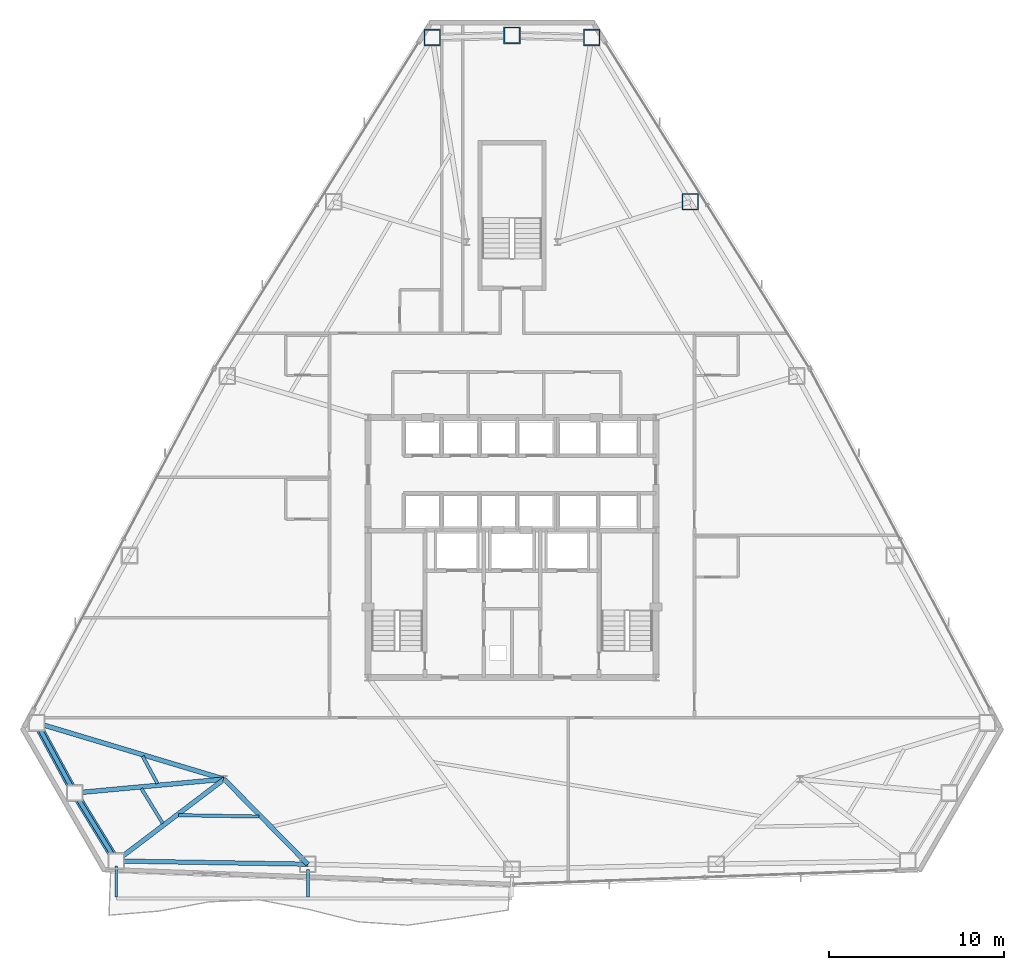
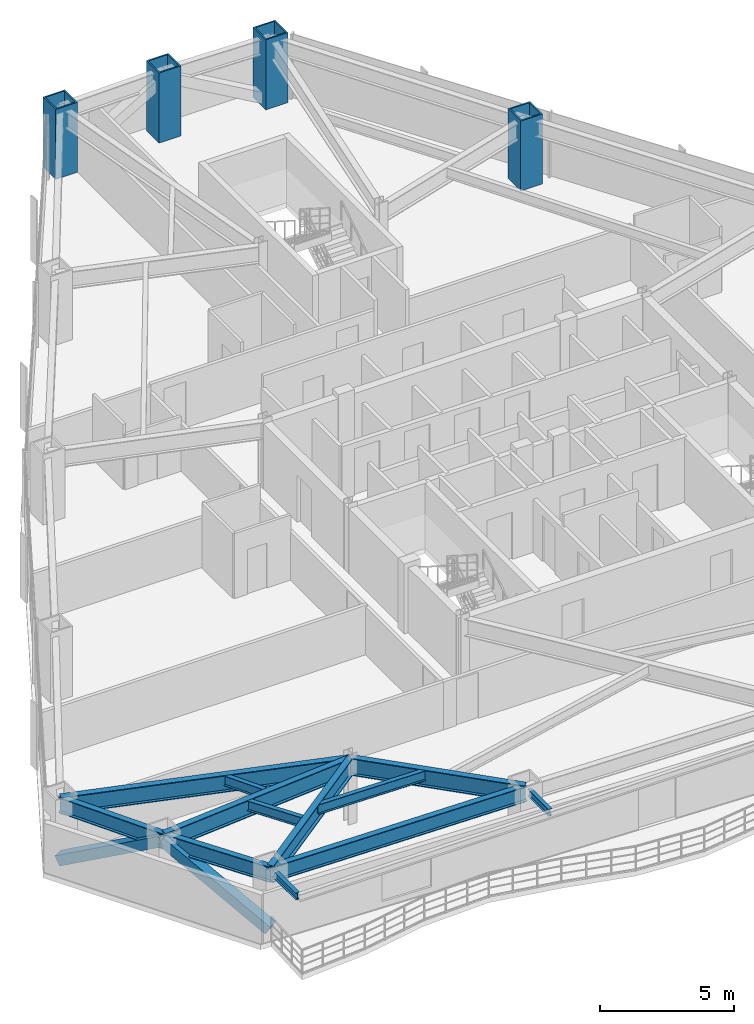
# One storey, part 3 of 13: 12 beams, 4 columns, 2 members.
"""IFC4 building model written with IfcOpenShell, lengths in metres."""

from ifc_helpers import new_model, si_unit, direction, frame, origin, origin_2d, place, context, subcontext, project, spatial, hollow_rectangle, i_section, extrude, source, transform, mapped, material, material_profile, profile_set, type_object, type_shapes, element, save


model = new_model("IFC4")

# Units and contexts
model_context = context("Model", 3, precision=1e-05, world=origin(), true_north=direction((0.0, 1.0)))
body_context = subcontext(model_context, "Body", "Model", "MODEL_VIEW")
ifc_project = project(units=[si_unit("LENGTHUNIT", "METRE"), si_unit("AREAUNIT", "SQUARE_METRE"), si_unit("VOLUMEUNIT", "CUBIC_METRE"), si_unit("PLANEANGLEUNIT", "RADIAN"), si_unit("MASSUNIT", "GRAM", prefix="KILO")], contexts=[model_context])

# Site, building, storey
site_placement = place(None, origin())
site = spatial("IfcSite", under=ifc_project, at=site_placement, CompositionType="ELEMENT")
building_placement = place(site_placement, origin())
building = spatial("IfcBuilding", under=site, at=building_placement, Name="Varakhsha Concourse Tower", CompositionType="ELEMENT")
storey_placement = place(building_placement, frame((0.0, 0.0, 99.0)))
storey = spatial("IfcBuildingStorey", under=building, at=storey_placement, Name="L28", CompositionType="ELEMENT", Elevation=99.0)

# Columns
ifc_material_1 = material(Name="Structural Steel ASTM A572 Grade 50", Category="steel")
ifc_material_profile_1 = material_profile(ifc_material_1, hollow_rectangle(XDim=0.949951171875, YDim=0.949951171875, WallThickness=0.06494140625, at=origin_2d()), Name="BOX 950x950x65")
ifc_profile_set_1 = profile_set([ifc_material_profile_1], Name="Structural Steel ASTM A572 Grade 50")
column_type = type_object("IfcColumnType", Name="CL-TUBE-950", PredefinedType="COLUMN", material=ifc_profile_set_1)
for number, where, z_axis, x_axis, name in (
    (1, (44.54150390625, 52.85986328125, 0.0), (0.0, 0.0, 1.0), (1.0, 0.0, 0.0), "L28 Framed-Tube Column TC01"),
    (2, (40.0, 52.9794921875, 0.0), (0.0, 0.0, 1.0), (1.0, 0.0, 0.0), "L28 Framed-Tube Column TC02"),
    (3, (35.45849609375, 52.85986328125, 0.0), (0.0, 0.0, 1.0), (1.0, 0.0, 0.0), "L28 Framed-Tube Column TC03"),
    (4, (50.156494140625, 43.499755859375, 0.0), (0.0, 0.0, 1.0), (1.0, 0.0, 0.0), "L28 Framed-Tube Column TC18"),
):
    element("IfcColumn", number, at=place(storey_placement, frame(where, z_axis=z_axis, x_axis=x_axis)), inside=storey, type_object=column_type, Name=name, PredefinedType="COLUMN", context=body_context, shape_type="SweptSolid", body=[
        extrude(hollow_rectangle(XDim=0.949951171875, YDim=0.949951171875, WallThickness=0.06494140625, at=origin_2d()), origin(), (0.0, 0.0, 1.0), 3.199951171875),
    ])

# Beams
ifc_material_2 = material(Name="Structural Steel ASTM A992 Grade 50", Category="steel")
ifc_material_profile_2 = material_profile(ifc_material_2, i_section(OverallWidth=0.26611328125, OverallDepth=0.779052734375, WebThickness=0.01708984375, FlangeThickness=0.030029296875, at=origin_2d()), Name="W30X148")
ifc_profile_set_2 = profile_set([ifc_material_profile_2], Name="Structural Steel ASTM A992 Grade 50")
beam_type_1 = type_object("IfcBeamType", Name="BM-BASE-W30X148", PredefinedType="USERDEFINED", material=ifc_profile_set_2)
beam_1_placement = place(storey_placement, frame((23.60009765625, 10.60009765625, 2.58056640625), z_axis=(-0.957930379652, 0.287000675505, 0.0), x_axis=(-0.287000675505, -0.957930379652, 0.0)))
element("IfcBeam", 5, at=beam_1_placement, inside=storey, type_object=beam_type_1, Name="L28 Radial Floor Girder 07", ObjectType="GIRDER", PredefinedType="USERDEFINED", context=body_context, shape_type="SweptSolid", body=[
    extrude(i_section(OverallWidth=0.26611328125, OverallDepth=0.779052734375, WebThickness=0.01708984375, FlangeThickness=0.030029296875, at=origin_2d()), origin(), (0.0, 0.0, 1.0), 11.16064453125),
])
beam_2_placement = place(storey_placement, frame((23.60009765625, 10.60009765625, 2.58056640625), z_axis=(-0.995734610944, -0.092263668731, 0.0), x_axis=(0.092263668731, -0.995734610944, 0.0)))
element("IfcBeam", 6, at=beam_2_placement, inside=storey, type_object=beam_type_1, Name="L28 Radial Floor Girder 08", ObjectType="GIRDER", PredefinedType="USERDEFINED", context=body_context, shape_type="SweptSolid", body=[
    extrude(i_section(OverallWidth=0.26611328125, OverallDepth=0.779052734375, WebThickness=0.01708984375, FlangeThickness=0.030029296875, at=origin_2d()), origin(), (0.0, 0.0, 1.0), 8.560302734375),
])
beam_3_placement = place(storey_placement, frame((23.60009765625, 10.60009765625, 2.58056640625), z_axis=(-0.79681521448, -0.604223066403, 0.0), x_axis=(0.604223066403, -0.79681521448, 0.0)))
element("IfcBeam", 7, at=beam_3_placement, inside=storey, type_object=beam_type_1, Name="L28 Radial Floor Girder 09", ObjectType="GIRDER", PredefinedType="USERDEFINED", context=body_context, shape_type="SweptSolid", body=[
    extrude(i_section(OverallWidth=0.26611328125, OverallDepth=0.779052734375, WebThickness=0.01708984375, FlangeThickness=0.030029296875, at=origin_2d()), origin(), (0.0, 0.0, 1.0), 7.717529296875),
])
beam_4_placement = place(storey_placement, frame((23.60009765625, 10.60009765625, 2.58056640625), z_axis=(0.701063539326, -0.713098810704, 0.0), x_axis=(0.713098810704, 0.701063539326, 0.0)))
element("IfcBeam", 8, at=beam_4_placement, inside=storey, type_object=beam_type_1, Name="L28 Radial Floor Girder 10", ObjectType="GIRDER", PredefinedType="USERDEFINED", context=body_context, shape_type="SweptSolid", body=[
    extrude(i_section(OverallWidth=0.26611328125, OverallDepth=0.779052734375, WebThickness=0.01708984375, FlangeThickness=0.030029296875, at=origin_2d()), origin(), (0.0, 0.0, 1.0), 6.795654296875),
])
ifc_material_profile_3 = material_profile(ifc_material_2, i_section(OverallWidth=0.1669921875, OverallDepth=0.31689453125, WebThickness=0.008056640625, FlangeThickness=0.012939453125, at=origin_2d()), Name="W12X35")
ifc_profile_set_3 = profile_set([ifc_material_profile_3], Name="Structural Steel ASTM A992 Grade 50")
beam_type_2 = type_object("IfcBeamType", Name="BM-EDGE-W12X35", PredefinedType="BEAM", material=ifc_profile_set_3)
beam_5_placement = place(storey_placement, frame((17.45068359375, 5.641845703125, 2.801513671875), z_axis=(0.0, -1.0, 0.0), x_axis=(1.0, 0.0, 0.0)))
element("IfcBeam", 9, at=beam_5_placement, inside=storey, type_object=beam_type_2, Name="L29 Sky-Loggia Support Bracket 1", PredefinedType="BEAM", context=body_context, shape_type="SweptSolid", body=[
    extrude(i_section(OverallWidth=0.1669921875, OverallDepth=0.31689453125, WebThickness=0.008056640625, FlangeThickness=0.012939453125, at=origin_2d()), origin(), (0.0, 0.0, 1.0), 1.750732421875),
])
beam_6_placement = place(storey_placement, frame((28.3642578125, 5.459228515625, 2.801513671875), z_axis=(0.0, -1.0, 0.0), x_axis=(1.0, 0.0, 0.0)))
element("IfcBeam", 10, at=beam_6_placement, inside=storey, type_object=beam_type_2, Name="L29 Sky-Loggia Support Bracket 2", PredefinedType="BEAM", context=body_context, shape_type="SweptSolid", body=[
    extrude(i_section(OverallWidth=0.1669921875, OverallDepth=0.31689453125, WebThickness=0.008056640625, FlangeThickness=0.012939453125, at=origin_2d()), origin(), (0.0, 0.0, 1.0), 1.568115234375),
])
ifc_material_profile_4 = material_profile(ifc_material_2, i_section(OverallWidth=0.19091796875, OverallDepth=0.45703125, WebThickness=0.009033203125, FlangeThickness=0.013916015625, at=origin_2d()), Name="W18X50")
ifc_profile_set_4 = profile_set([ifc_material_profile_4], Name="Structural Steel ASTM A992 Grade 50")
beam_type_3 = type_object("IfcBeamType", Name="BM-JST-W18X50", PredefinedType="JOIST", material=ifc_profile_set_4)
beam_7_placement = place(storey_placement, frame((18.948486328125, 11.91259765625, 2.741455078125), z_axis=(0.477043404459, -0.878879735949, 0.0), x_axis=(0.878879735949, 0.477043404459, 0.0)))
element("IfcBeam", 11, at=beam_7_placement, inside=storey, type_object=beam_type_3, Name="BM-TJST-L28-07", PredefinedType="JOIST", context=body_context, shape_type="SweptSolid", body=[
    extrude(i_section(OverallWidth=0.19091796875, OverallDepth=0.45703125, WebThickness=0.009033203125, FlangeThickness=0.013916015625, at=origin_2d()), origin(), (0.0, 0.0, 1.0), 1.779052734375),
])
beam_8_placement = place(storey_placement, frame((18.88427734375, 10.06396484375, 2.741455078125), z_axis=(0.522613786352, -0.852569545735, 0.0), x_axis=(0.852569545735, 0.522613786352, 0.0)))
element("IfcBeam", 12, at=beam_8_placement, inside=storey, type_object=beam_type_3, Name="BM-TJST-L28-08", PredefinedType="JOIST", context=body_context, shape_type="SweptSolid", body=[
    extrude(i_section(OverallWidth=0.19091796875, OverallDepth=0.45703125, WebThickness=0.009033203125, FlangeThickness=0.013916015625, at=origin_2d()), origin(), (0.0, 0.0, 1.0), 2.323974609375),
])
beam_9_placement = place(storey_placement, frame((21.004150390625, 8.54638671875, 2.741455078125), z_axis=(0.999860072798, -0.016728264219, 0.0), x_axis=(0.016728264219, 0.999860072798, 0.0)))
element("IfcBeam", 13, at=beam_9_placement, inside=storey, type_object=beam_type_3, Name="BM-TJST-L28-09", PredefinedType="JOIST", context=body_context, shape_type="SweptSolid", body=[
    extrude(i_section(OverallWidth=0.19091796875, OverallDepth=0.45703125, WebThickness=0.009033203125, FlangeThickness=0.013916015625, at=origin_2d()), origin(), (0.0, 0.0, 1.0), 4.582763671875),
])
ifc_material_profile_5 = material_profile(ifc_material_2, i_section(OverallWidth=0.25390625, OverallDepth=0.701904296875, WebThickness=0.014892578125, FlangeThickness=0.028076171875, at=origin_2d()), Name="W27X129")
ifc_profile_set_5 = profile_set([ifc_material_profile_5], Name="Structural Steel ASTM A992 Grade 50")
beam_type_4 = type_object("IfcBeamType", Name="BM-SPAN-W27X129", PredefinedType="SPANDREL", material=ifc_profile_set_5)
beam_10_placement = place(storey_placement, frame((12.908935546875, 13.80322265625, 2.618896484375), z_axis=(0.47707407482, -0.878863087821, 0.0), x_axis=(0.878863087821, 0.47707407482, 0.0)))
element("IfcBeam", 14, at=beam_10_placement, inside=storey, type_object=beam_type_4, Name="BM-SPAN-L28-07", PredefinedType="SPANDREL", context=body_context, shape_type="SweptSolid", body=[
    extrude(i_section(OverallWidth=0.25390625, OverallDepth=0.701904296875, WebThickness=0.014892578125, FlangeThickness=0.028076171875, at=origin_2d()), origin(), (0.0, 0.0, 1.0), 4.543212890625),
])
beam_11_placement = place(storey_placement, frame((15.076416015625, 9.810302734375, 2.618896484375), z_axis=(0.522612462801, -0.852570357053, 0.0), x_axis=(0.852570357053, 0.522612462801, 0.0)))
element("IfcBeam", 15, at=beam_11_placement, inside=storey, type_object=beam_type_4, Name="BM-SPAN-L28-08", PredefinedType="SPANDREL", context=body_context, shape_type="SweptSolid", body=[
    extrude(i_section(OverallWidth=0.25390625, OverallDepth=0.701904296875, WebThickness=0.014892578125, FlangeThickness=0.028076171875, at=origin_2d()), origin(), (0.0, 0.0, 1.0), 4.54296875),
])
beam_12_placement = place(storey_placement, frame((17.45068359375, 5.93701171875, 2.59912109375), z_axis=(0.999859657794, -0.016753050953, 0.0), x_axis=(0.016753050953, 0.999859657794, 0.0)))
element("IfcBeam", 16, at=beam_12_placement, inside=storey, type_object=beam_type_4, Name="BM-SPAN-L28-09", PredefinedType="SPANDREL", context=body_context, shape_type="SweptSolid", body=[
    extrude(i_section(OverallWidth=0.25390625, OverallDepth=0.701904296875, WebThickness=0.014892578125, FlangeThickness=0.028076171875, at=origin_2d()), origin(), (0.0, 0.0, 1.0), 10.9150390625),
])

# Members
ifc_material_3 = material(Name="Structural Steel ASTM A500 Grade C", Category="steel")
ifc_material_profile_6 = material_profile(ifc_material_3, hollow_rectangle(XDim=0.449951171875, YDim=0.449951171875, WallThickness=0.01904296875, at=origin_2d()), Name="HSS 450x450x19")
ifc_profile_set_6 = profile_set([ifc_material_profile_6], Name="Structural Steel ASTM A500 Grade C")
member_type = type_object("IfcMemberType", Name="MB-TUBE-HSS450", PredefinedType="BRACE", material=ifc_profile_set_6)
shared_shape_1 = source(origin(), body_context, "Body", "SweptSolid", [
    extrude(hollow_rectangle(XDim=0.449951171875, YDim=0.449951171875, WallThickness=0.01904296875, at=origin_2d()), origin(), (0.0, 0.0, 1.0), 5.209716796875),
])
member_1_placement = place(storey_placement, frame((17.45068359375, 5.93701171875, 0.1201171875), z_axis=(-0.455739287831, 0.743475969299, 0.489433534407), x_axis=(-0.852570357053, -0.522612462801, 0.0)))
element("IfcMember", 17, at=member_1_placement, inside=storey, type_object=member_type, Name="L28 Wind-Corner Tube Brace B04", PredefinedType="BRACE", context=body_context, shape_type="MappedRepresentation", body=[
    mapped(shared_shape_1, transform((0.0, 0.0, 0.0), scale=1.0)),
])
shared_shape_2 = source(origin(), body_context, "Body", "SweptSolid", [
    extrude(hollow_rectangle(XDim=0.449951171875, YDim=0.449951171875, WallThickness=0.01904296875, at=origin_2d()), origin(), (0.0, 0.0, 1.0), 5.2099609375),
])
type_shapes(member_type, [shared_shape_1, shared_shape_2])
member_2_placement = place(storey_placement, frame((12.908935546875, 13.80322265625, 0.1201171875), z_axis=(0.416032433517, -0.766412530994, 0.489416843394), x_axis=(0.878863087821, 0.47707407482, 0.0)))
element("IfcMember", 18, at=member_2_placement, inside=storey, type_object=member_type, Name="L28 Wind-Corner Tube Brace B03", PredefinedType="BRACE", context=body_context, shape_type="MappedRepresentation", body=[
    mapped(shared_shape_2, transform((0.0, 0.0, 0.0), scale=1.0)),
])

save(model, "model.ifc")
